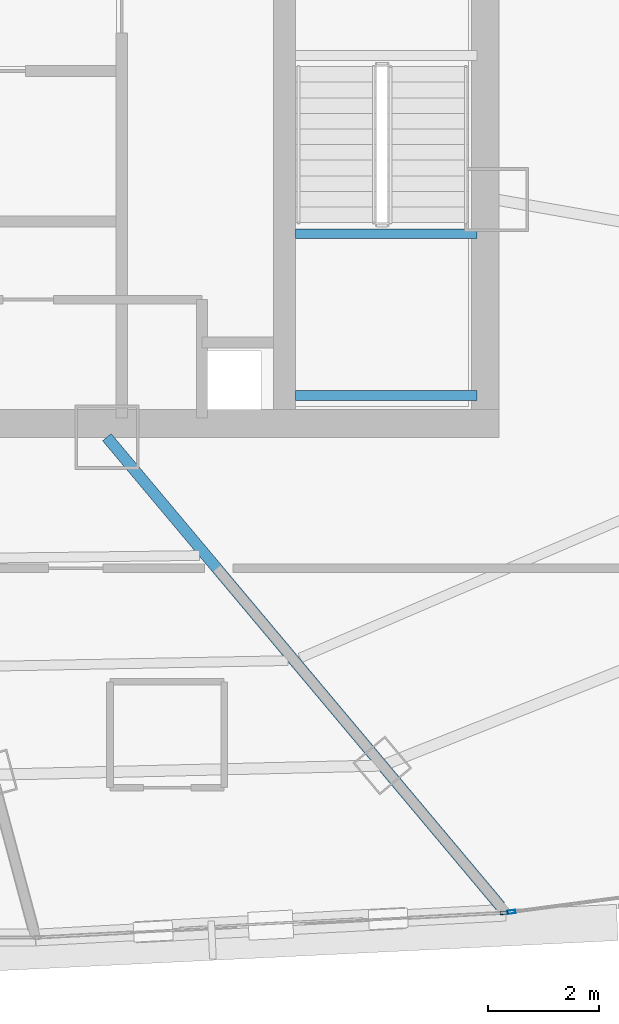
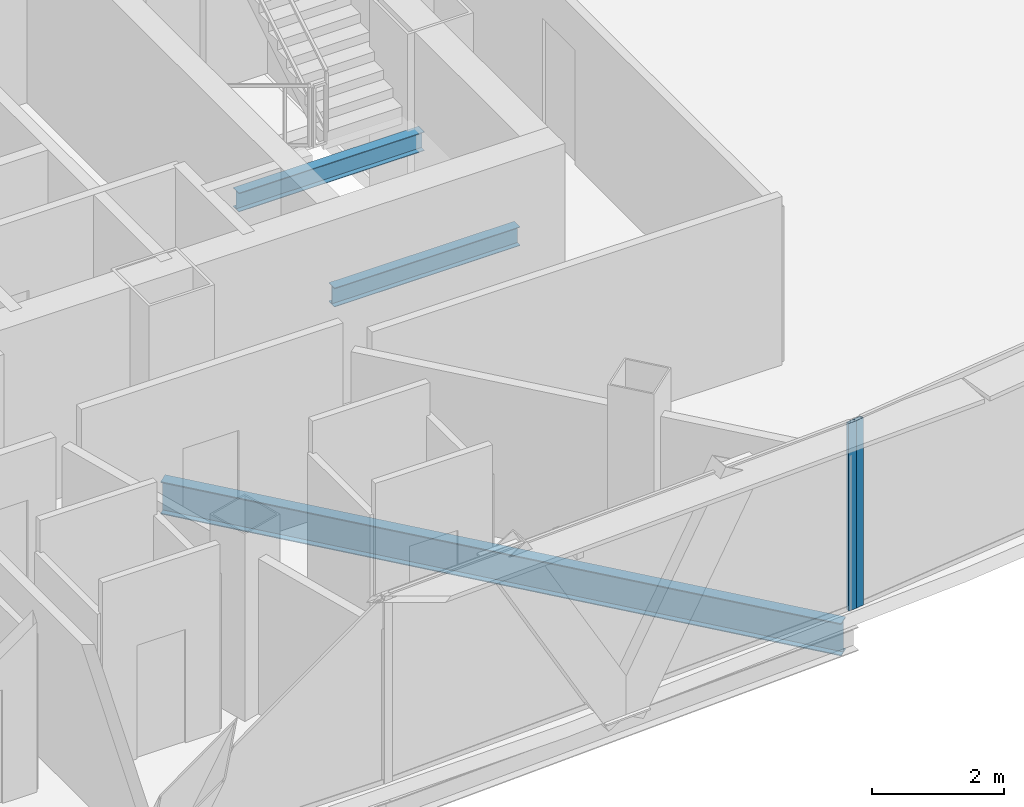
# One storey, part 12 of 37: 3 beams, 2 members, 2 elements without a shape of their own.
"""IFC4 building model written with IfcOpenShell, lengths in metres."""

from ifc_helpers import new_model, si_unit, direction, frame, origin, origin_2d, place, context, subcontext, project, spatial, hollow_rectangle, i_section, extrude, source, transform, mapped, material, layer, layer_set, material_profile, profile_set, type_object, element, aggregate, save


model = new_model("IFC4")

# Units and contexts
model_context = context("Model", 3, precision=1e-05, world=origin(), true_north=direction((0.0, 1.0)))
body_context = subcontext(model_context, "Body", "Model", "MODEL_VIEW")
ifc_project = project(units=[si_unit("LENGTHUNIT", "METRE"), si_unit("AREAUNIT", "SQUARE_METRE"), si_unit("VOLUMEUNIT", "CUBIC_METRE"), si_unit("PLANEANGLEUNIT", "RADIAN"), si_unit("MASSUNIT", "GRAM", prefix="KILO"), si_unit("THERMODYNAMICTEMPERATUREUNIT", "KELVIN"), si_unit("POWERUNIT", "WATT")], contexts=[model_context])

# Site, building, storey
site_placement = place(None, origin())
site = spatial("IfcSite", under=ifc_project, at=site_placement, CompositionType="ELEMENT")
building_placement = place(site_placement, origin())
building = spatial("IfcBuilding", under=site, at=building_placement, Name="Yunzhuo Pagoda Commons", CompositionType="ELEMENT")
storey_placement = place(building_placement, frame((0.0, 0.0, 281.2900390625)))
storey = spatial("IfcBuildingStorey", under=building, at=storey_placement, Name="L70", CompositionType="ELEMENT", Elevation=281.2900390625)

# Beams
ifc_material_1 = material(Name="Structural steel Q355B", Category="steel")
ifc_material_profile_1 = material_profile(ifc_material_1, i_section(OverallWidth=0.175048828125, OverallDepth=0.35009765625, WebThickness=0.007080078125, FlangeThickness=0.010986328125, at=origin_2d()), Name="Structural steel Q355B")
ifc_profile_set_1 = profile_set([ifc_material_profile_1], Name="Structural steel Q355B")
beam_type_1 = type_object("IfcBeamType", Name="B-JS2 Joist HN 350x175x7x11", PredefinedType="JOIST", material=ifc_profile_set_1)
shared_shape_1 = source(origin(), body_context, "Body", "SweptSolid", [
    extrude(i_section(OverallWidth=0.175048828125, OverallDepth=0.35009765625, WebThickness=0.007080078125, FlangeThickness=0.010986328125, at=origin_2d()), origin(), (0.0, 0.0, 1.0), 3.25),
])
for number, where, z_axis, x_axis, name in (
    (1, (56.800048828125, 28.0, 1.489990234375), (1.0, 0.0, 0.0), (0.0, 1.0, 0.0), "L70 ST2 landing support beam 76A"),
    (2, (56.800048828125, 30.89990234375, 1.489990234375), (1.0, 0.0, 0.0), (0.0, 1.0, 0.0), "L70 ST2 landing support beam 76B"),
):
    element("IfcBeam", number, at=place(storey_placement, frame(where, z_axis=z_axis, x_axis=x_axis)), inside=storey, type_object=beam_type_1, Name=name, PredefinedType="JOIST", context=body_context, shape_type="MappedRepresentation", body=[
        mapped(shared_shape_1, transform((0.0, 0.0, 0.0), scale=1.0)),
    ])
ifc_material_profile_2 = material_profile(ifc_material_1, i_section(OverallWidth=0.199951171875, OverallDepth=0.60009765625, WebThickness=0.010986328125, FlangeThickness=0.01708984375, at=origin_2d()), Name="Structural steel Q355B")
ifc_profile_set_2 = profile_set([ifc_material_profile_2], Name="Structural steel Q355B")
beam_type_2 = type_object("IfcBeamType", Name="B-RG3 Beam HN 600x200x11x17", PredefinedType="BEAM", material=ifc_profile_set_2)
shared_shape_2 = source(origin(), body_context, "Body", "SweptSolid", [
    extrude(i_section(OverallWidth=0.199951171875, OverallDepth=0.60009765625, WebThickness=0.010986328125, FlangeThickness=0.01708984375, at=origin_2d()), origin(), (0.0, 0.0, 1.0), 10.978515625),
])
beam_placement = place(storey_placement, frame((60.468994140625, 18.840087890625, -0.559814453125), z_axis=(-0.642794591419, 0.766038584695, 0.0), x_axis=(-0.766038584695, -0.642794591419, 0.0)))
element("IfcBeam", 3, at=beam_placement, inside=storey, type_object=beam_type_2, Name="L70 radial floor girder F1C4", PredefinedType="BEAM", context=body_context, shape_type="MappedRepresentation", body=[
    mapped(shared_shape_2, transform((0.0, 0.0, 0.0), scale=1.0)),
])

# Curtain wall, member
ifc_material_2 = material(Name="Anodized aluminium 6063-T6", Category="aluminium")
ifc_layer = layer(ifc_material_2, 0.139892578125)
ifc_layer_set = layer_set([ifc_layer], Name="Anodized aluminium 6063-T6")
curtain_wall_type = type_object("IfcCurtainWallType", Name="CW-HI High-Zone Ribbon Curtain Wall", PredefinedType="NOTDEFINED", material=ifc_layer_set)
curtain_wall_1_placement = place(storey_placement, origin())
curtain_wall_1 = element("IfcCurtainWall", 4, at=curtain_wall_1_placement, inside=storey, type_object=curtain_wall_type, Name="L70 curtain wall CW-L70-F1B4", PredefinedType="NOTDEFINED")
ifc_material_profile_3 = material_profile(ifc_material_2, hollow_rectangle(XDim=0.06005859375, YDim=0.139892578125, WallThickness=0.00341796875, at=origin_2d()), Name="Anodized aluminium 6063-T6")
ifc_profile_set_3 = profile_set([ifc_material_profile_3], Name="Anodized aluminium 6063-T6")
member_type = type_object("IfcMemberType", Name="CW-HI-M Mullion RHS 140x60x3.5", PredefinedType="MULLION", material=ifc_profile_set_3)
shared_shape_3 = source(origin(), body_context, "Body", "SweptSolid", [
    extrude(hollow_rectangle(XDim=0.06005859375, YDim=0.139892578125, WallThickness=0.00341796875, at=origin_2d()), origin(), (0.0, 0.0, 1.0), 3.469970703125),
])
member_1_placement = place(storey_placement, frame((60.53857421875, 18.7197265625, 0.0), z_axis=(0.0, 0.0, 1.0), x_axis=(-0.052821657014, 0.998603961814, 0.0)))
member_1 = element("IfcMember", 5, at=member_1_placement, type_object=member_type, Name="CW mullion 2", PredefinedType="MULLION", context=body_context, shape_type="MappedRepresentation", body=[
    mapped(shared_shape_3, transform((0.0, 0.0, 0.0), scale=1.0)),
])
aggregate(curtain_wall_1, [member_1])

curtain_wall_2_placement = place(storey_placement, origin())
curtain_wall_2 = element("IfcCurtainWall", 6, at=curtain_wall_2_placement, inside=storey, type_object=curtain_wall_type, Name="L70 curtain wall CW-L70-F1B5", PredefinedType="NOTDEFINED")
member_2_placement = place(storey_placement, frame((60.6728515625, 18.735107421875, 0.0), z_axis=(0.0, 0.0, 1.0), x_axis=(-0.131311416098, 0.991341168318, 0.0)))
member_2 = element("IfcMember", 7, at=member_2_placement, type_object=member_type, Name="CW mullion 1", PredefinedType="MULLION", context=body_context, shape_type="MappedRepresentation", body=[
    mapped(shared_shape_3, transform((0.0, 0.0, 0.0), scale=1.0)),
])
aggregate(curtain_wall_2, [member_2])

save(model, "model.ifc")
